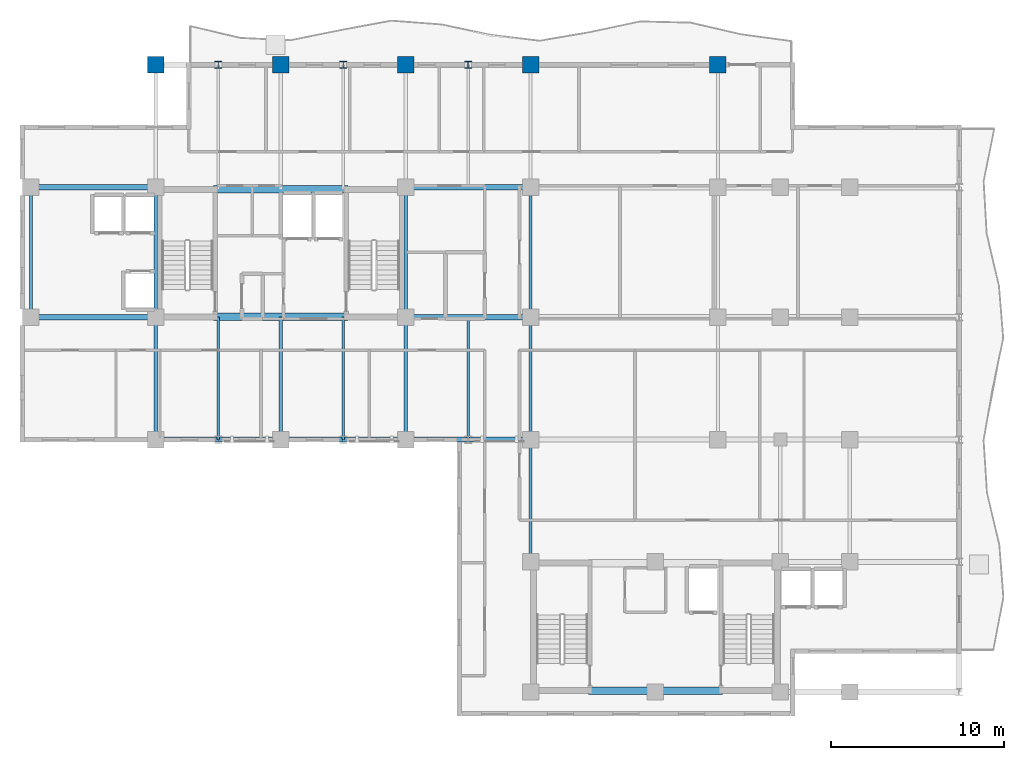
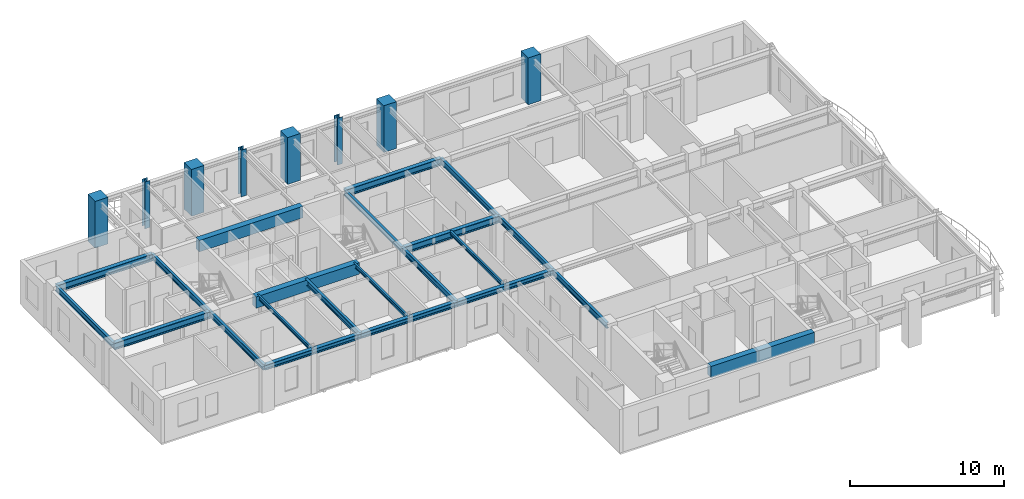
# One storey, part 3 of 14: 25 beams, 8 columns.
"""IFC4 building model written with IfcOpenShell, lengths in metres."""

from ifc_helpers import new_model, si_unit, direction, frame, origin, origin_2d, place, context, subcontext, project, spatial, rectangle, i_section, extrude, source, transform, mapped, material, material_profile, profile_set, type_object, element, save


model = new_model("IFC4")

# Units and contexts
model_context = context("Model", 3, precision=1e-05, world=origin(), true_north=direction((0.0, 1.0)))
body_context = subcontext(model_context, "Body", "Model", "MODEL_VIEW")
ifc_project = project(units=[si_unit("LENGTHUNIT", "METRE"), si_unit("AREAUNIT", "SQUARE_METRE"), si_unit("VOLUMEUNIT", "CUBIC_METRE"), si_unit("PLANEANGLEUNIT", "RADIAN"), si_unit("MASSUNIT", "GRAM", prefix="KILO")], contexts=[model_context])

# Site, building, storey
site_placement = place(None, origin())
site = spatial("IfcSite", under=ifc_project, at=site_placement, CompositionType="ELEMENT")
building_placement = place(site_placement, origin())
building = spatial("IfcBuilding", under=site, at=building_placement, Name="Kaliganga Portal Commons", CompositionType="ELEMENT")
storey_placement = place(building_placement, frame((0.0, 0.0, 227.699951171875)))
storey = spatial("IfcBuildingStorey", under=building, at=storey_placement, Name="L58", CompositionType="ELEMENT", Elevation=227.699951171875)

# Columns
ifc_material_1 = material(Name="Concrete C50/60", Category="concrete")
ifc_material_profile_1 = material_profile(ifc_material_1, rectangle(XDim=0.949951171875, YDim=0.949951171875, at=origin_2d()), Name="RC 950x950")
ifc_profile_set_1 = profile_set([ifc_material_profile_1], Name="Concrete C50/60")
column_type_1 = type_object("IfcColumnType", Name="COL-MEGA-Z4", PredefinedType="COLUMN", material=ifc_profile_set_1)
shared_shape_1 = source(origin(), body_context, "Body", "SweptSolid", [
    extrude(rectangle(XDim=0.949951171875, YDim=0.949951171875, at=origin_2d()), origin(), (0.0, 0.0, 1.0), 3.699951171875),
])
for number, where, z_axis, x_axis, name in (
    (1, (14.39990234375, 43.199951171875, 0.0), (0.0, 0.0, 1.0), (1.0, 0.0, 0.0), "Column MC-05 L58"),
    (2, (21.60009765625, 43.199951171875, 0.0), (0.0, 0.0, 1.0), (1.0, 0.0, 0.0), "Column MC-05 L58"),
    (3, (28.800048828125, 43.199951171875, 0.0), (0.0, 0.0, 1.0), (1.0, 0.0, 0.0), "Column MC-05 L58"),
    (4, (36.0, 43.199951171875, 0.0), (0.0, 0.0, 1.0), (1.0, 0.0, 0.0), "Column MC-05 L58"),
    (5, (46.800048828125, 43.199951171875, 0.0), (0.0, 0.0, 1.0), (1.0, 0.0, 0.0), "Column MC-05 L58"),
):
    element("IfcColumn", number, at=place(storey_placement, frame(where, z_axis=z_axis, x_axis=x_axis)), inside=storey, type_object=column_type_1, Name=name, PredefinedType="COLUMN", context=body_context, shape_type="MappedRepresentation", body=[
        mapped(shared_shape_1, transform((0.0, 0.0, 0.0), x_axis=(1.0, 0.0, 0.0), y_axis=(0.0, 1.0, 0.0), z_axis=(0.0, 0.0, 1.0), scale=1.0)),
    ])
ifc_material_2 = material(Name="Structural steel S355J2", Category="steel")
ifc_material_profile_2 = material_profile(ifc_material_2, i_section(OverallWidth=0.39892578125, OverallDepth=0.39990234375, WebThickness=0.017333984375, FlangeThickness=0.0234375, FilletRadius=0.014892578125, at=origin_2d()), Name="HD 400x287")
ifc_profile_set_2 = profile_set([ifc_material_profile_2], Name="Structural steel S355J2 wide-flange")
column_type_2 = type_object("IfcColumnType", Name="COL-TUBE-B4", PredefinedType="COLUMN", material=ifc_profile_set_2)
shared_shape_2 = source(origin(), body_context, "Body", "SweptSolid", [
    extrude(i_section(OverallWidth=0.39892578125, OverallDepth=0.39990234375, WebThickness=0.017333984375, FlangeThickness=0.0234375, FilletRadius=0.014892578125, at=origin_2d()), origin(), (0.0, 0.0, 1.0), 3.699951171875),
])
for number, where, z_axis, x_axis, name in (
    (6, (18.0, 43.199951171875, 0.0), (0.0, 0.0, 1.0), (1.0, 0.0, 0.0), "Column TC-04 L58"),
    (7, (25.199951171875, 43.199951171875, 0.0), (0.0, 0.0, 1.0), (1.0, 0.0, 0.0), "Column TC-04 L58"),
    (8, (32.39990234375, 43.199951171875, 0.0), (0.0, 0.0, 1.0), (1.0, 0.0, 0.0), "Column TC-04 L58"),
):
    element("IfcColumn", number, at=place(storey_placement, frame(where, z_axis=z_axis, x_axis=x_axis)), inside=storey, type_object=column_type_2, Name=name, PredefinedType="COLUMN", context=body_context, shape_type="MappedRepresentation", body=[
        mapped(shared_shape_2, transform((0.0, 0.0, 0.0), x_axis=(1.0, 0.0, 0.0), y_axis=(0.0, 1.0, 0.0), z_axis=(0.0, 0.0, 1.0), scale=1.0)),
    ])

# Beams
ifc_material_profile_3 = material_profile(ifc_material_1, rectangle(XDim=0.449951171875, YDim=0.89990234375, at=origin_2d()), Name="RC 450x900")
ifc_profile_set_3 = profile_set([ifc_material_profile_3], Name="Concrete C50/60")
beam_type_1 = type_object("IfcBeamType", Name="BM-CPL-900", PredefinedType="LINTEL", material=ifc_profile_set_3)
shared_shape_3 = source(origin(), body_context, "Body", "SweptSolid", [
    extrude(rectangle(XDim=0.449951171875, YDim=0.89990234375, at=origin_2d()), origin(), (0.0, 0.0, 1.0), 7.739990234375),
])
for number, where, z_axis, x_axis, name in (
    (9, (17.72998046875, 28.675048828125, 3.02001953125), (1.0, 0.0, 0.0), (0.0, 1.0, 0.0), "BM CPL COREA L58 S"),
    (10, (17.72998046875, 36.02490234375, 3.02001953125), (1.0, 0.0, 0.0), (0.0, 1.0, 0.0), "BM CPL COREA L58 N"),
    (11, (39.330078125, 7.125, 3.02001953125), (1.0, 0.0, 0.0), (0.0, 1.0, 0.0), "BM CPL COREB L58 S"),
):
    element("IfcBeam", number, at=place(storey_placement, frame(where, z_axis=z_axis, x_axis=x_axis)), inside=storey, type_object=beam_type_1, Name=name, PredefinedType="LINTEL", context=body_context, shape_type="MappedRepresentation", body=[
        mapped(shared_shape_3, transform((0.0, 0.0, 0.0), x_axis=(1.0, 0.0, 0.0), y_axis=(0.0, 1.0, 0.0), z_axis=(0.0, 0.0, 1.0), scale=1.0)),
    ])
ifc_material_profile_4 = material_profile(ifc_material_2, i_section(OverallWidth=0.18994140625, OverallDepth=0.449951171875, WebThickness=0.009521484375, FlangeThickness=0.0146484375, FilletRadius=0.02099609375, at=origin_2d()), Name="IPE 450")
ifc_profile_set_4 = profile_set([ifc_material_profile_4], Name="Structural steel S355J2 wide-flange")
beam_type_2 = type_object("IfcBeamType", Name="BM-FLR-450", PredefinedType="BEAM", material=ifc_profile_set_4)
shared_shape_4 = source(origin(), body_context, "Body", "SweptSolid", [
    extrude(i_section(OverallWidth=0.18994140625, OverallDepth=0.449951171875, WebThickness=0.009521484375, FlangeThickness=0.0146484375, FilletRadius=0.02099609375, at=origin_2d()), origin(), (0.0, 0.0, 1.0), 7.5),
])
for number, where, z_axis, x_axis, name in (
    (12, (7.199951171875, 28.64990234375, 3.2451171875), (0.0, 1.0, 0.0), (-1.0, 0.0, 0.0), "BM G L58 AW72"),
    (13, (14.39990234375, 28.64990234375, 3.2451171875), (0.0, 1.0, 0.0), (-1.0, 0.0, 0.0), "BM G L58 AM144"),
    (14, (28.800048828125, 28.64990234375, 3.2451171875), (0.0, 1.0, 0.0), (-1.0, 0.0, 0.0), "BM G L58 AM288"),
    (15, (36.0, 28.64990234375, 3.2451171875), (0.0, 1.0, 0.0), (-1.0, 0.0, 0.0), "BM G L58 AM360"),
):
    element("IfcBeam", number, at=place(storey_placement, frame(where, z_axis=z_axis, x_axis=x_axis)), inside=storey, type_object=beam_type_2, Name=name, PredefinedType="BEAM", context=body_context, shape_type="MappedRepresentation", body=[
        mapped(shared_shape_4, transform((0.0, 0.0, 0.0), x_axis=(1.0, 0.0, 0.0), y_axis=(0.0, 1.0, 0.0), z_axis=(0.0, 0.0, 1.0), scale=1.0)),
    ])
shared_shape_5 = source(origin(), body_context, "Body", "SweptSolid", [
    extrude(i_section(OverallWidth=0.18994140625, OverallDepth=0.449951171875, WebThickness=0.009521484375, FlangeThickness=0.0146484375, FilletRadius=0.02099609375, at=origin_2d()), origin(), (0.0, 0.0, 1.0), 7.050048828125),
])
beam_1_placement = place(storey_placement, frame((36.0, 14.550048828125, 3.2451171875), z_axis=(0.0, 1.0, 0.0), x_axis=(-1.0, 0.0, 0.0)))
element("IfcBeam", 16, at=beam_1_placement, inside=storey, type_object=beam_type_2, Name="BM G L58 BNK360", PredefinedType="BEAM", context=body_context, shape_type="MappedRepresentation", body=[
    mapped(shared_shape_5, transform((0.0, 0.0, 0.0), x_axis=(1.0, 0.0, 0.0), y_axis=(0.0, 1.0, 0.0), z_axis=(0.0, 0.0, 1.0), scale=1.0)),
])
shared_shape_6 = source(origin(), body_context, "Body", "SweptSolid", [
    extrude(i_section(OverallWidth=0.18994140625, OverallDepth=0.449951171875, WebThickness=0.009521484375, FlangeThickness=0.0146484375, FilletRadius=0.02099609375, at=origin_2d()), origin(), (0.0, 0.0, 1.0), 7.0498046875),
])
for number, where, z_axis, x_axis, name in (
    (17, (14.39990234375, 21.60009765625, 3.2451171875), (0.0, 1.0, 0.0), (-1.0, 0.0, 0.0), "BM G L58 AS144"),
    (18, (28.800048828125, 21.60009765625, 3.2451171875), (0.0, 1.0, 0.0), (-1.0, 0.0, 0.0), "BM G L58 AS288"),
    (19, (36.0, 21.60009765625, 3.2451171875), (0.0, 1.0, 0.0), (-1.0, 0.0, 0.0), "BM G L58 AS360"),
):
    element("IfcBeam", number, at=place(storey_placement, frame(where, z_axis=z_axis, x_axis=x_axis)), inside=storey, type_object=beam_type_2, Name=name, PredefinedType="BEAM", context=body_context, shape_type="MappedRepresentation", body=[
        mapped(shared_shape_6, transform((0.0, 0.0, 0.0), x_axis=(1.0, 0.0, 0.0), y_axis=(0.0, 1.0, 0.0), z_axis=(0.0, 0.0, 1.0), scale=1.0)),
    ])
ifc_material_profile_5 = material_profile(ifc_material_2, i_section(OverallWidth=0.14990234375, OverallDepth=0.300048828125, WebThickness=0.007080078125, FlangeThickness=0.0107421875, FilletRadius=0.014892578125, at=origin_2d()), Name="IPE 300")
ifc_profile_set_5 = profile_set([ifc_material_profile_5], Name="Structural steel S355J2 wide-flange")
beam_type_3 = type_object("IfcBeamType", Name="BM-JST-300", PredefinedType="JOIST", material=ifc_profile_set_5)
shared_shape_7 = source(origin(), body_context, "Body", "SweptSolid", [
    extrude(i_section(OverallWidth=0.14990234375, OverallDepth=0.300048828125, WebThickness=0.007080078125, FlangeThickness=0.0107421875, FilletRadius=0.014892578125, at=origin_2d()), origin(), (0.0, 0.0, 1.0), 7.0498046875),
])
beam_2_placement = place(storey_placement, frame((32.39990234375, 21.60009765625, 3.320068359375), z_axis=(0.0, 1.0, 0.0), x_axis=(-1.0, 0.0, 0.0)))
element("IfcBeam", 20, at=beam_2_placement, inside=storey, type_object=beam_type_3, Name="BM G L58 AS324", PredefinedType="JOIST", context=body_context, shape_type="MappedRepresentation", body=[
    mapped(shared_shape_7, transform((0.0, 0.0, 0.0), x_axis=(1.0, 0.0, 0.0), y_axis=(0.0, 1.0, 0.0), z_axis=(0.0, 0.0, 1.0), scale=1.0)),
])
ifc_material_profile_6 = material_profile(ifc_material_2, i_section(OverallWidth=0.300048828125, OverallDepth=0.39990234375, WebThickness=0.013427734375, FlangeThickness=0.02392578125, FilletRadius=0.027099609375, at=origin_2d()), Name="HE 400 B")
ifc_profile_set_6 = profile_set([ifc_material_profile_6], Name="Structural steel S355J2 wide-flange")
beam_type_4 = type_object("IfcBeamType", Name="BM-SPAND-400", PredefinedType="SPANDREL", material=ifc_profile_set_6)
shared_shape_8 = source(origin(), body_context, "Body", "SweptSolid", [
    extrude(i_section(OverallWidth=0.300048828125, OverallDepth=0.39990234375, WebThickness=0.013427734375, FlangeThickness=0.02392578125, FilletRadius=0.027099609375, at=origin_2d()), origin(), (0.0, 0.0, 1.0), 3.60009765625),
])
for number, where, z_axis, x_axis, name in (
    (21, (14.39990234375, 21.60009765625, 3.27001953125), (1.0, 0.0, 0.0), (0.0, 1.0, 0.0), "BM SP L58 AS 1"),
    (22, (18.0, 21.60009765625, 3.27001953125), (1.0, 0.0, 0.0), (0.0, 1.0, 0.0), "BM SP L58 AS 2"),
    (23, (25.199951171875, 21.60009765625, 3.27001953125), (1.0, 0.0, 0.0), (0.0, 1.0, 0.0), "BM SP L58 AS 4"),
    (24, (32.39990234375, 21.60009765625, 3.27001953125), (1.0, 0.0, 0.0), (0.0, 1.0, 0.0), "BM SP L58 AS 6"),
):
    element("IfcBeam", number, at=place(storey_placement, frame(where, z_axis=z_axis, x_axis=x_axis)), inside=storey, type_object=beam_type_4, Name=name, PredefinedType="SPANDREL", context=body_context, shape_type="MappedRepresentation", body=[
        mapped(shared_shape_8, transform((0.0, 0.0, 0.0), x_axis=(1.0, 0.0, 0.0), y_axis=(0.0, 1.0, 0.0), z_axis=(0.0, 0.0, 1.0), scale=1.0)),
    ])
shared_shape_9 = source(origin(), body_context, "Body", "SweptSolid", [
    extrude(i_section(OverallWidth=0.300048828125, OverallDepth=0.39990234375, WebThickness=0.013427734375, FlangeThickness=0.02392578125, FilletRadius=0.027099609375, at=origin_2d()), origin(), (0.0, 0.0, 1.0), 3.599853515625),
])
for number, where, z_axis, x_axis, name in (
    (25, (21.60009765625, 21.60009765625, 3.27001953125), (1.0, 0.0, 0.0), (0.0, 1.0, 0.0), "BM SP L58 AS 3"),
    (26, (28.800048828125, 21.60009765625, 3.27001953125), (1.0, 0.0, 0.0), (0.0, 1.0, 0.0), "BM SP L58 AS 5"),
):
    element("IfcBeam", number, at=place(storey_placement, frame(where, z_axis=z_axis, x_axis=x_axis)), inside=storey, type_object=beam_type_4, Name=name, PredefinedType="SPANDREL", context=body_context, shape_type="MappedRepresentation", body=[
        mapped(shared_shape_9, transform((0.0, 0.0, 0.0), x_axis=(1.0, 0.0, 0.0), y_axis=(0.0, 1.0, 0.0), z_axis=(0.0, 0.0, 1.0), scale=1.0)),
    ])
ifc_material_profile_7 = material_profile(ifc_material_2, i_section(OverallWidth=0.300048828125, OverallDepth=0.550048828125, WebThickness=0.014892578125, FlangeThickness=0.029052734375, FilletRadius=0.027099609375, at=origin_2d()), Name="HE 550 B")
ifc_profile_set_7 = profile_set([ifc_material_profile_7], Name="Structural steel S355J2 wide-flange")
beam_type_5 = type_object("IfcBeamType", Name="BM-GIRD-550", PredefinedType="USERDEFINED", material=ifc_profile_set_7)
shared_shape_10 = source(origin(), body_context, "Body", "SweptSolid", [
    extrude(i_section(OverallWidth=0.300048828125, OverallDepth=0.550048828125, WebThickness=0.014892578125, FlangeThickness=0.029052734375, FilletRadius=0.027099609375, at=origin_2d()), origin(), (0.0, 0.0, 1.0), 7.199951171875),
])
for number, where, z_axis, x_axis, name in (
    (27, (7.199951171875, 28.64990234375, 3.195068359375), (1.0, 0.0, 0.0), (0.0, 1.0, 0.0), "BM G L58 WAH_S 1"),
    (28, (7.199951171875, 36.14990234375, 3.195068359375), (1.0, 0.0, 0.0), (0.0, 1.0, 0.0), "BM G L58 WAH_N 1"),
    (29, (28.800048828125, 28.64990234375, 3.195068359375), (1.0, 0.0, 0.0), (0.0, 1.0, 0.0), "BM G L58 WAE_S 1"),
    (30, (28.800048828125, 36.14990234375, 3.195068359375), (1.0, 0.0, 0.0), (0.0, 1.0, 0.0), "BM G L58 WAE_N 1"),
):
    element("IfcBeam", number, at=place(storey_placement, frame(where, z_axis=z_axis, x_axis=x_axis)), inside=storey, type_object=beam_type_5, Name=name, ObjectType="GIRDER", PredefinedType="USERDEFINED", context=body_context, shape_type="MappedRepresentation", body=[
        mapped(shared_shape_10, transform((0.0, 0.0, 0.0), x_axis=(1.0, 0.0, 0.0), y_axis=(0.0, 1.0, 0.0), z_axis=(0.0, 0.0, 1.0), scale=1.0)),
    ])
shared_shape_11 = source(origin(), body_context, "Body", "SweptSolid", [
    extrude(i_section(OverallWidth=0.14990234375, OverallDepth=0.300048828125, WebThickness=0.007080078125, FlangeThickness=0.0107421875, FilletRadius=0.014892578125, at=origin_2d()), origin(), (0.0, 0.0, 1.0), 7.074951171875),
])
for number, where, z_axis, x_axis, name in (
    (31, (18.0, 21.60009765625, 3.320068359375), (0.0, 1.0, 0.0), (-1.0, 0.0, 0.0), "BM G L58 AS180"),
    (32, (25.199951171875, 21.60009765625, 3.320068359375), (0.0, 1.0, 0.0), (-1.0, 0.0, 0.0), "BM G L58 AS252"),
):
    element("IfcBeam", number, at=place(storey_placement, frame(where, z_axis=z_axis, x_axis=x_axis)), inside=storey, type_object=beam_type_3, Name=name, PredefinedType="JOIST", context=body_context, shape_type="MappedRepresentation", body=[
        mapped(shared_shape_11, transform((0.0, 0.0, 0.0), x_axis=(1.0, 0.0, 0.0), y_axis=(0.0, 1.0, 0.0), z_axis=(0.0, 0.0, 1.0), scale=1.0)),
    ])
shared_shape_12 = source(origin(), body_context, "Body", "SweptSolid", [
    extrude(i_section(OverallWidth=0.18994140625, OverallDepth=0.449951171875, WebThickness=0.009521484375, FlangeThickness=0.0146484375, FilletRadius=0.02099609375, at=origin_2d()), origin(), (0.0, 0.0, 1.0), 7.074951171875),
])
beam_3_placement = place(storey_placement, frame((21.60009765625, 21.60009765625, 3.2451171875), z_axis=(0.0, 1.0, 0.0), x_axis=(-1.0, 0.0, 0.0)))
element("IfcBeam", 33, at=beam_3_placement, inside=storey, type_object=beam_type_2, Name="BM G L58 AS216", PredefinedType="BEAM", context=body_context, shape_type="MappedRepresentation", body=[
    mapped(shared_shape_12, transform((0.0, 0.0, 0.0), x_axis=(1.0, 0.0, 0.0), y_axis=(0.0, 1.0, 0.0), z_axis=(0.0, 0.0, 1.0), scale=1.0)),
])

save(model, "model.ifc")
